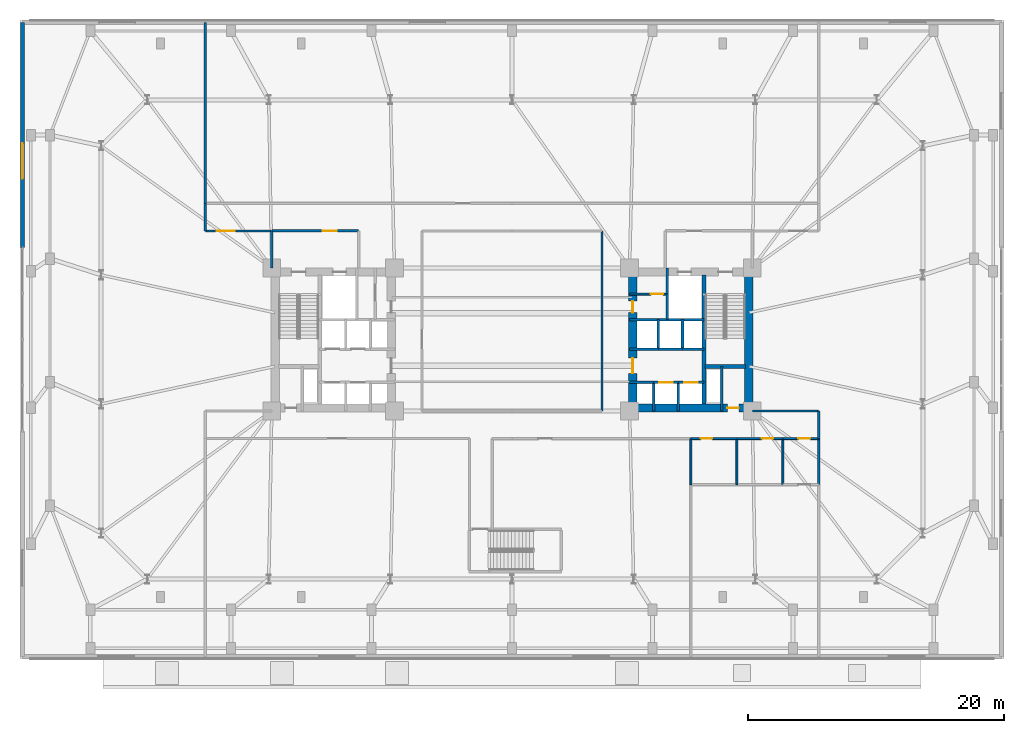
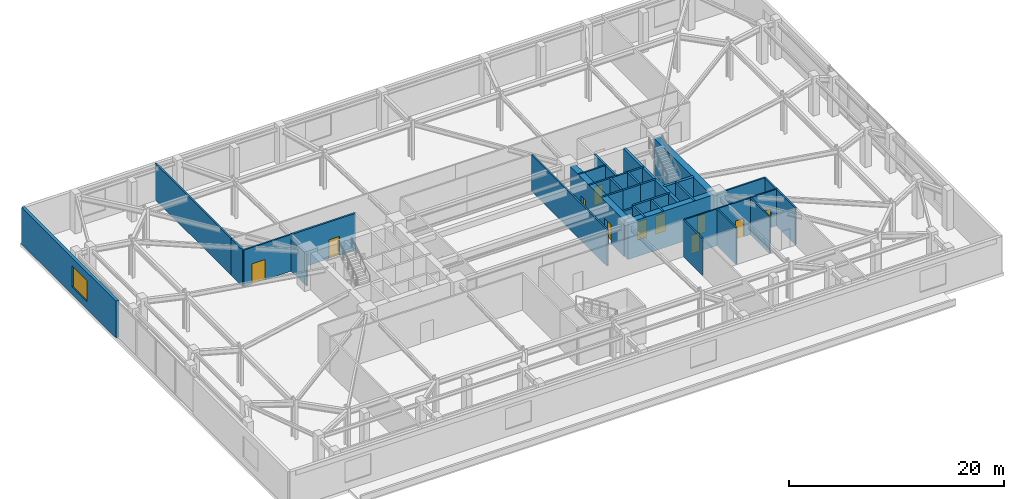
# One storey, part 16 of 21: 36 walls, 11 doors, 1 window, 12 openings.
"""IFC4 building model written with IfcOpenShell, lengths in metres."""

from ifc_helpers import new_model, si_unit, direction, frame, frame_2d, origin, place, context, subcontext, project, spatial, rectangle, extrude, material, layer, layer_set, type_object, element, fill, save


model = new_model("IFC4")

# Units and contexts
model_context = context("Model", 3, precision=1e-05, world=origin(), true_north=direction((0.0, 1.0)))
body_context = subcontext(model_context, "Body", "Model", "MODEL_VIEW")
ifc_project = project(units=[si_unit("LENGTHUNIT", "METRE"), si_unit("AREAUNIT", "SQUARE_METRE"), si_unit("VOLUMEUNIT", "CUBIC_METRE"), si_unit("PLANEANGLEUNIT", "RADIAN"), si_unit("MASSUNIT", "GRAM", prefix="KILO")], contexts=[model_context])

# Site, building, storey
site_placement = place(None, origin())
site = spatial("IfcSite", under=ifc_project, at=site_placement, CompositionType="ELEMENT")
building_placement = place(site_placement, origin())
building = spatial("IfcBuilding", under=site, at=building_placement, Name="Qobustan Lattice House", CompositionType="ELEMENT")
storey_placement = place(building_placement, frame((0.0, 0.0, 4.5)))
storey = spatial("IfcBuildingStorey", under=building, at=storey_placement, Name="L01", CompositionType="ELEMENT", Elevation=4.5)

# Wall, opening, door
ifc_material_1 = material(Name="Concrete C60/75", Category="concrete")
ifc_layer_1 = layer(ifc_material_1, 0.639892578125)
ifc_layer_set_1 = layer_set([ifc_layer_1], Name="Concrete C60/75")
wall_type_1 = type_object("IfcWallType", Name="WAL-CORE-640", PredefinedType="SHEAR", material=ifc_layer_set_1)
wall_1_placement = place(storey_placement, frame((9.199951171875, -5.35009765625, 0.0), z_axis=(0.0, 0.0, 1.0), x_axis=(1.0, 0.0, 0.0)))
wall_1 = element("IfcWall", 1, at=wall_1_placement, inside=storey, type_object=wall_type_1, Name="L01 split-core shear wall CE-S", PredefinedType="SHEAR", context=body_context, shape_type="SweptSolid", body=[
    extrude(rectangle(XDim=9.60009765625, YDim=0.639892578125, at=frame_2d((4.800048828125, 0.0))), origin(), (0.0, 0.0, 1.0), 4.169921875),
])
opening_1_placement = place(wall_1_placement, frame((7.64990234375, 0.0, 0.0)))
opening_1 = element("IfcOpeningElement", 2, at=opening_1_placement, cuts=wall_1, Name="Opening RD-01", PredefinedType="OPENING", context=body_context, shape_type="SweptSolid", body=[
    extrude(rectangle(XDim=0.89990234375, YDim=2.10009765625, at=frame_2d((0.449951171875, 1.050048828125))), frame((0.0, 0.329833984375, 0.0), z_axis=(0.0, -1.0, 0.0), x_axis=(1.0, 0.0, 0.0)), (0.0, 0.0, 1.0), 0.659912109375),
])
ifc_material_2 = material(Name="Persian walnut timber and steel frame door", Category="steel")
door_type_1 = type_object("IfcDoorType", Name="DOR-RISER-FD-900x2100", OperationType="NOTDEFINED", PredefinedType="DOOR", material=ifc_material_2)
door_1_placement = place(opening_1_placement, origin())
door_1 = element("IfcDoor", 3, at=door_1_placement, inside=storey, type_object=door_type_1, Name="L01 core service riser access door E", OperationType="SINGLE_SWING_RIGHT", OverallHeight=2.10009765625, OverallWidth=0.89990234375, PredefinedType="DOOR", context=body_context, shape_type="SweptSolid", body=[
    extrude(rectangle(XDim=0.89990234375, YDim=2.10009765625, at=frame_2d((0.449951171875, 1.050048828125))), frame((0.0, 0.02490234375, 0.0), z_axis=(0.0, -1.0, 0.0), x_axis=(1.0, 0.0, 0.0)), (0.0, 0.0, 1.0), 0.050048828125),
])
fill(opening_1, door_1)

# Wall, openings, doors
wall_2_placement = place(storey_placement, frame((9.449951171875, -5.050048828125, 0.0), z_axis=(0.0, 0.0, 1.0), x_axis=(0.0, 1.0, 0.0)))
wall_2 = element("IfcWall", 4, at=wall_2_placement, inside=storey, type_object=wall_type_1, Name="L01 split-core shear wall CE-W", PredefinedType="SHEAR", context=body_context, shape_type="SweptSolid", body=[
    extrude(rectangle(XDim=10.10009765625, YDim=0.639892578125, at=frame_2d((5.050048828125, 0.0))), origin(), (0.0, 0.0, 1.0), 4.169921875),
])
opening_2_placement = place(wall_2_placement, frame((7.14990234375, 0.0, 0.0)))
opening_2 = element("IfcOpeningElement", 5, at=opening_2_placement, cuts=wall_2, Name="Opening RD-01", PredefinedType="OPENING", context=body_context, shape_type="SweptSolid", body=[
    extrude(rectangle(XDim=0.89990234375, YDim=2.10009765625, at=frame_2d((0.449951171875, 1.050048828125))), frame((0.0, 0.329833984375, 0.0), z_axis=(0.0, -1.0, 0.0), x_axis=(1.0, 0.0, 0.0)), (0.0, 0.0, 1.0), 0.659912109375),
])
opening_3_placement = place(wall_2_placement, frame((2.39990234375, 0.0, 0.0)))
opening_3 = element("IfcOpeningElement", 6, at=opening_3_placement, cuts=wall_2, Name="Opening FD-01", PredefinedType="OPENING", context=body_context, shape_type="SweptSolid", body=[
    extrude(rectangle(XDim=1.199951171875, YDim=2.14990234375, at=frame_2d((0.60009765625, 1.074951171875))), frame((0.0, 0.329833984375, 0.0), z_axis=(0.0, -1.0, 0.0), x_axis=(1.0, 0.0, 0.0)), (0.0, 0.0, 1.0), 0.659912109375),
])
ifc_material_3 = material(Name="Persian walnut timber and steel frame door", Category="steel")
door_type_2 = type_object("IfcDoorType", Name="DOR-LOBBY-FD-1200x2150", OperationType="NOTDEFINED", PredefinedType="DOOR", material=ifc_material_3)
door_2_placement = place(opening_3_placement, origin())
door_2 = element("IfcDoor", 7, at=door_2_placement, inside=storey, type_object=door_type_2, Name="L01 East passenger lift lobby fire door", OperationType="SINGLE_SWING_LEFT", OverallHeight=2.14990234375, OverallWidth=1.199951171875, PredefinedType="DOOR", context=body_context, shape_type="SweptSolid", body=[
    extrude(rectangle(XDim=1.199951171875, YDim=2.14990234375, at=frame_2d((0.60009765625, 1.074951171875))), frame((0.0, 0.02490234375, 0.0), z_axis=(0.0, -1.0, 0.0), x_axis=(1.0, 0.0, 0.0)), (0.0, 0.0, 1.0), 0.050048828125),
])
fill(opening_3, door_2)
door_3_placement = place(opening_2_placement, origin())
door_3 = element("IfcDoor", 8, at=door_3_placement, inside=storey, type_object=door_type_1, Name="L01 Housekeeping utility foyer fire door", OperationType="SINGLE_SWING_RIGHT", OverallHeight=2.10009765625, OverallWidth=0.89990234375, PredefinedType="DOOR", context=body_context, shape_type="SweptSolid", body=[
    extrude(rectangle(XDim=0.89990234375, YDim=2.10009765625, at=frame_2d((0.449951171875, 1.050048828125))), frame((0.0, 0.02490234375, 0.0), z_axis=(0.0, -1.0, 0.0), x_axis=(1.0, 0.0, 0.0)), (0.0, 0.0, 1.0), 0.050048828125),
])
fill(opening_2, door_3)

# Walls
wall_3_placement = place(storey_placement, frame((18.530029296875, -5.050048828125, 0.0), z_axis=(0.0, 0.0, 1.0), x_axis=(0.0, 1.0, 0.0)))
element("IfcWall", 9, at=wall_3_placement, inside=storey, type_object=wall_type_1, Name="L01 split-core shear wall CE-E", PredefinedType="SHEAR", context=body_context, shape_type="SweptSolid", body=[
    extrude(rectangle(XDim=10.10009765625, YDim=0.639892578125, at=frame_2d((5.050048828125, 0.0))), origin(), (0.0, 0.0, 1.0), 4.169921875),
])
ifc_material_4 = material(Name="Concrete C50/60", Category="concrete")
ifc_layer_2 = layer(ifc_material_4, 0.280029296875)
ifc_layer_set_2 = layer_set([ifc_layer_2], Name="Concrete C50/60")
wall_type_2 = type_object("IfcWallType", Name="WAL-CORE-SPINE-280", PredefinedType="SHEAR", material=ifc_layer_set_2)
wall_4_placement = place(storey_placement, frame((15.02001953125, -5.050048828125, 0.0), z_axis=(0.0, 0.0, 1.0), x_axis=(0.0, 1.0, 0.0)))
element("IfcWall", 10, at=wall_4_placement, inside=storey, type_object=wall_type_2, Name="L01 split-core shear wall CE-M", PredefinedType="SHEAR", context=body_context, shape_type="SweptSolid", body=[
    extrude(rectangle(XDim=10.10009765625, YDim=0.300048828125, at=frame_2d((5.050048828125, 0.0))), origin(), (0.0, 0.0, 1.0), 4.169921875),
])
wall_5_placement = place(storey_placement, frame((15.10009765625, -2.110107421875, 0.0), z_axis=(0.0, 0.0, 1.0), x_axis=(1.0, 0.0, 0.0)))
element("IfcWall", 11, at=wall_5_placement, inside=storey, type_object=wall_type_2, Name="L01 split-core shear wall CE-ST", PredefinedType="SHEAR", context=body_context, shape_type="SweptSolid", body=[
    extrude(rectangle(XDim=3.179931640625, YDim=0.300048828125, at=frame_2d((1.58984375, 0.0))), origin(), (0.0, 0.0, 1.0), 4.169921875),
])

# Wall, opening, window
ifc_material_5 = material(Name="Precast concrete C40/50", Category="concrete")
ifc_layer_3 = layer(ifc_material_5, 0.320068359375)
ifc_layer_set_3 = layer_set([ifc_layer_3], Name="Precast concrete C40/50")
wall_type_3 = type_object("IfcWallType", Name="WAL-EXT-STONE-320", PredefinedType="SOLIDWALL", material=ifc_layer_set_3)
wall_6_placement = place(storey_placement, frame((-38.300048828125, 7.199951171875, 0.0), z_axis=(0.0, 0.0, 1.0), x_axis=(0.0, 1.0, 0.0)))
wall_6 = element("IfcWall", 12, at=wall_6_placement, inside=storey, type_object=wall_type_3, Name="L01 podium stone wall 1B", PredefinedType="SOLIDWALL", context=body_context, shape_type="SweptSolid", body=[
    extrude(rectangle(XDim=17.60009765625, YDim=0.320068359375, at=frame_2d((8.800048828125, 0.0))), origin(), (0.0, 0.0, 1.0), 4.169921875),
])
opening_4_placement = place(wall_6_placement, frame((5.3701171875, 0.0, 0.85009765625)))
opening_4 = element("IfcOpeningElement", 13, at=opening_4_placement, cuts=wall_6, Name="Opening WN-17", PredefinedType="OPENING", context=body_context, shape_type="SweptSolid", body=[
    extrude(rectangle(XDim=2.800048828125, YDim=2.39990234375, at=frame_2d((1.39990234375, 1.199951171875))), frame((0.0, 0.169921875, 0.0), z_axis=(0.0, -1.0, 0.0), x_axis=(1.0, 0.0, 0.0)), (0.0, 0.0, 1.0), 0.340087890625),
])
ifc_material_6 = material(Name="Double-glazed low-E aluminium window", Category="aluminium")
window_type = type_object("IfcWindowType", Name="WIN-POD-2800x2400", PartitioningType="SINGLE_PANEL", PredefinedType="WINDOW", material=ifc_material_6)
window_placement = place(opening_4_placement, origin())
window = element("IfcWindow", 14, at=window_placement, inside=storey, type_object=window_type, Name="L01 Academic reference library window", OverallHeight=2.39990234375, OverallWidth=2.800048828125, PartitioningType="SINGLE_PANEL", PredefinedType="WINDOW", context=body_context, shape_type="SweptSolid", body=[
    extrude(rectangle(XDim=2.800048828125, YDim=2.39990234375, at=frame_2d((1.39990234375, 1.199951171875))), frame((0.0, 0.030029296875, 0.0), z_axis=(0.0, -1.0, 0.0), x_axis=(1.0, 0.0, 0.0)), (0.0, 0.0, 1.0), 0.06005859375),
])
fill(opening_4, window)

# Wall, opening, door
ifc_material_7 = material(Name="Acoustic twin-stud gypsum partition", Category="gypsum")
ifc_layer_4 = layer(ifc_material_7, 0.14990234375)
ifc_layer_set_4 = layer_set([ifc_layer_4], Name="Acoustic twin-stud gypsum partition")
wall_type_4 = type_object("IfcWallType", Name="WAL-PART-150", PredefinedType="PARTITIONING", material=ifc_layer_set_4)
wall_7_placement = place(storey_placement, frame((12.14990234375, 3.550048828125, 0.0), z_axis=(0.0, 0.0, 1.0), x_axis=(-1.0, 0.0, 0.0)))
wall_7 = element("IfcWall", 15, at=wall_7_placement, inside=storey, type_object=wall_type_4, Name="L01 interior partition 25", PredefinedType="PARTITIONING", context=body_context, shape_type="SweptSolid", body=[
    extrude(rectangle(XDim=2.949951171875, YDim=0.14990234375, at=frame_2d((1.47509765625, 0.0))), origin(), (0.0, 0.0, 1.0), 4.169921875),
])
opening_5_placement = place(wall_7_placement, frame((0.324951171875, 0.0, 0.0)))
opening_5 = element("IfcOpeningElement", 16, at=opening_5_placement, cuts=wall_7, Name="Opening ID-01", PredefinedType="OPENING", context=body_context, shape_type="SweptSolid", body=[
    extrude(rectangle(XDim=0.949951171875, YDim=2.10009765625, at=frame_2d((0.47509765625, 1.050048828125))), frame((0.0, 0.0849609375, 0.0), z_axis=(0.0, -1.0, 0.0), x_axis=(1.0, 0.0, 0.0)), (0.0, 0.0, 1.0), 0.169921875),
])
ifc_material_8 = material(Name="Persian walnut timber and steel frame door", Category="steel")
door_type_3 = type_object("IfcDoorType", Name="DOR-ROOM-950x2100", OperationType="NOTDEFINED", PredefinedType="DOOR", material=ifc_material_8)
door_4_placement = place(opening_5_placement, origin())
door_4 = element("IfcDoor", 17, at=door_4_placement, inside=storey, type_object=door_type_3, Name="L01 Housekeeping utility foyer to Cleaner cupboard door", OperationType="SINGLE_SWING_LEFT", OverallHeight=2.10009765625, OverallWidth=0.949951171875, PredefinedType="DOOR", context=body_context, shape_type="SweptSolid", body=[
    extrude(rectangle(XDim=0.949951171875, YDim=2.10009765625, at=frame_2d((0.47509765625, 1.050048828125))), frame((0.0, 0.02490234375, 0.0), z_axis=(0.0, -1.0, 0.0), x_axis=(1.0, 0.0, 0.0)), (0.0, 0.0, 1.0), 0.050048828125),
])
fill(opening_5, door_4)

wall_8_placement = place(storey_placement, frame((24.0, -7.75, 0.0), z_axis=(0.0, 0.0, 1.0), x_axis=(-1.0, 0.0, 0.0)))
wall_8 = element("IfcWall", 18, at=wall_8_placement, inside=storey, type_object=wall_type_4, Name="L01 interior partition 54", PredefinedType="PARTITIONING", context=body_context, shape_type="SweptSolid", body=[
    extrude(rectangle(XDim=2.800048828125, YDim=0.14990234375, at=frame_2d((1.39990234375, 0.0))), origin(), (0.0, 0.0, 1.0), 4.169921875),
])
opening_6_placement = place(wall_8_placement, frame((0.666259765625, 0.0, 0.0)))
opening_6 = element("IfcOpeningElement", 19, at=opening_6_placement, cuts=wall_8, Name="Opening ID-01", PredefinedType="OPENING", context=body_context, shape_type="SweptSolid", body=[
    extrude(rectangle(XDim=0.949951171875, YDim=2.10009765625, at=frame_2d((0.47509765625, 1.050048828125))), frame((0.0, 0.0849609375, 0.0), z_axis=(0.0, -1.0, 0.0), x_axis=(1.0, 0.0, 0.0)), (0.0, 0.0, 1.0), 0.169921875),
])
door_5_placement = place(opening_6_placement, origin())
door_5 = element("IfcDoor", 20, at=door_5_placement, inside=storey, type_object=door_type_3, Name="L01 South-east podium corridor to Janitor supply store door", OperationType="SINGLE_SWING_LEFT", OverallHeight=2.10009765625, OverallWidth=0.949951171875, PredefinedType="DOOR", context=body_context, shape_type="SweptSolid", body=[
    extrude(rectangle(XDim=0.949951171875, YDim=2.10009765625, at=frame_2d((0.47509765625, 1.050048828125))), frame((0.0, 0.02490234375, 0.0), z_axis=(0.0, -1.0, 0.0), x_axis=(1.0, 0.0, 0.0)), (0.0, 0.0, 1.0), 0.050048828125),
])
fill(opening_6, door_5)

ifc_material_9 = material(Name="High-mass acoustic twin-stud partition", Category="gypsum")
ifc_layer_5 = layer(ifc_material_9, 0.1650390625)
ifc_layer_set_5 = layer_set([ifc_layer_5], Name="High-mass acoustic twin-stud partition")
wall_type_5 = type_object("IfcWallType", Name="WAL-PART-165", PredefinedType="PARTITIONING", material=ifc_layer_set_5)
wall_9_placement = place(storey_placement, frame((-18.800048828125, 8.5, 0.0), z_axis=(0.0, 0.0, 1.0), x_axis=(-1.0, 0.0, 0.0)))
wall_9 = element("IfcWall", 21, at=wall_9_placement, inside=storey, type_object=wall_type_5, Name="L01 interior partition 38", PredefinedType="PARTITIONING", context=body_context, shape_type="SweptSolid", body=[
    extrude(rectangle(XDim=5.199951171875, YDim=0.1650390625, at=frame_2d((2.60009765625, 0.0))), origin(), (0.0, 0.0, 1.0), 4.169921875),
])
opening_7_placement = place(wall_9_placement, frame((2.889892578125, 0.0, 0.0)))
opening_7 = element("IfcOpeningElement", 22, at=opening_7_placement, cuts=wall_9, Name="Opening ID-04", PredefinedType="OPENING", context=body_context, shape_type="SweptSolid", body=[
    extrude(rectangle(XDim=1.39990234375, YDim=2.300048828125, at=frame_2d((0.699951171875, 1.14990234375))), frame((0.0, 0.092529296875, 0.0), z_axis=(0.0, -1.0, 0.0), x_axis=(1.0, 0.0, 0.0)), (0.0, 0.0, 1.0), 0.18505859375),
])
ifc_material_10 = material(Name="Persian walnut timber and steel frame door", Category="steel")
door_type_4 = type_object("IfcDoorType", Name="DOR-POD-1400x2300", OperationType="NOTDEFINED", PredefinedType="DOOR", material=ifc_material_10)
door_6_placement = place(opening_7_placement, origin())
door_6 = element("IfcDoor", 23, at=door_6_placement, inside=storey, type_object=door_type_4, Name="L01 North-west podium corridor to Academic reference library door", OperationType="SINGLE_SWING_RIGHT", OverallHeight=2.300048828125, OverallWidth=1.39990234375, PredefinedType="DOOR", context=body_context, shape_type="SweptSolid", body=[
    extrude(rectangle(XDim=1.39990234375, YDim=2.300048828125, at=frame_2d((0.699951171875, 1.14990234375))), frame((0.0, 0.02490234375, 0.0), z_axis=(0.0, -1.0, 0.0), x_axis=(1.0, 0.0, 0.0)), (0.0, 0.0, 1.0), 0.050048828125),
])
fill(opening_7, door_6)

# Walls
wall_10_placement = place(storey_placement, frame((-24.0, 8.5, 0.0), z_axis=(0.0, 0.0, 1.0), x_axis=(0.0, 1.0, 0.0)))
element("IfcWall", 24, at=wall_10_placement, inside=storey, type_object=wall_type_5, Name="L01 interior partition 39", PredefinedType="PARTITIONING", context=body_context, shape_type="SweptSolid", body=[
    extrude(rectangle(XDim=2.14990234375, YDim=0.1650390625, at=frame_2d((1.074951171875, 0.0))), origin(), (0.0, 0.0, 1.0), 4.169921875),
])
wall_11_placement = place(storey_placement, frame((18.800048828125, -5.60009765625, 0.0), z_axis=(0.0, 0.0, 1.0), x_axis=(1.0, 0.0, 0.0)))
element("IfcWall", 25, at=wall_11_placement, inside=storey, type_object=wall_type_5, Name="L01 interior partition 56", PredefinedType="PARTITIONING", context=body_context, shape_type="SweptSolid", body=[
    extrude(rectangle(XDim=5.199951171875, YDim=0.1650390625, at=frame_2d((2.60009765625, 0.0))), origin(), (0.0, 0.0, 1.0), 4.169921875),
])
wall_12_placement = place(storey_placement, frame((24.0, -5.60009765625, 0.0), z_axis=(0.0, 0.0, 1.0), x_axis=(0.0, -1.0, 0.0)))
element("IfcWall", 26, at=wall_12_placement, inside=storey, type_object=wall_type_5, Name="L01 interior partition 57", PredefinedType="PARTITIONING", context=body_context, shape_type="SweptSolid", body=[
    extrude(rectangle(XDim=2.14990234375, YDim=0.1650390625, at=frame_2d((1.074951171875, 0.0))), origin(), (0.0, 0.0, 1.0), 4.169921875),
])
wall_13_placement = place(storey_placement, frame((7.050048828125, -5.60009765625, 0.0), z_axis=(0.0, 0.0, 1.0), x_axis=(0.0, 1.0, 0.0)))
element("IfcWall", 27, at=wall_13_placement, inside=storey, type_object=wall_type_5, Name="L01 interior partition 59", PredefinedType="PARTITIONING", context=body_context, shape_type="SweptSolid", body=[
    extrude(rectangle(XDim=14.10009765625, YDim=0.1650390625, at=frame_2d((7.050048828125, 0.0))), origin(), (0.0, 0.0, 1.0), 4.169921875),
])
wall_14_placement = place(storey_placement, frame((-24.0, 24.800048828125, 0.0), z_axis=(0.0, 0.0, 1.0), x_axis=(0.0, -1.0, 0.0)))
element("IfcWall", 28, at=wall_14_placement, inside=storey, type_object=wall_type_5, Name="L01 interior partition 62", PredefinedType="PARTITIONING", context=body_context, shape_type="SweptSolid", body=[
    extrude(rectangle(XDim=14.150146484375, YDim=0.1650390625, at=frame_2d((7.0751953125, 0.0))), origin(), (0.0, 0.0, 1.0), 4.169921875),
])
wall_15_placement = place(storey_placement, frame((24.0, -7.75, 0.0), z_axis=(0.0, 0.0, 1.0), x_axis=(0.0, -1.0, 0.0)))
element("IfcWall", 29, at=wall_15_placement, inside=storey, type_object=wall_type_5, Name="L01 interior partition 72", PredefinedType="PARTITIONING", context=body_context, shape_type="SweptSolid", body=[
    extrude(rectangle(XDim=3.60009765625, YDim=0.1650390625, at=frame_2d((1.800048828125, 0.0))), origin(), (0.0, 0.0, 1.0), 4.169921875),
])

# Wall, opening, door
ifc_material_11 = material(Name="Two-hour gypsum fireboard acoustic partition", Category="gypsum")
ifc_layer_6 = layer(ifc_material_11, 0.199951171875)
ifc_layer_set_6 = layer_set([ifc_layer_6], Name="Two-hour gypsum fireboard acoustic partition")
wall_type_6 = type_object("IfcWallType", Name="WAL-PROT-200", PredefinedType="PARTITIONING", material=ifc_layer_set_6)
wall_16_placement = place(storey_placement, frame((-12.0, 8.5, 0.0), z_axis=(0.0, 0.0, 1.0), x_axis=(-1.0, 0.0, 0.0)))
wall_16 = element("IfcWall", 30, at=wall_16_placement, inside=storey, type_object=wall_type_6, Name="L01 interior partition 3", PredefinedType="PARTITIONING", context=body_context, shape_type="SweptSolid", body=[
    extrude(rectangle(XDim=6.800048828125, YDim=0.199951171875, at=frame_2d((3.39990234375, 0.0))), origin(), (0.0, 0.0, 1.0), 4.169921875),
])
opening_8_placement = place(wall_16_placement, frame((1.715087890625, 0.0, 0.0)))
opening_8 = element("IfcOpeningElement", 31, at=opening_8_placement, cuts=wall_16, Name="Opening SD-01", PredefinedType="OPENING", context=body_context, shape_type="SweptSolid", body=[
    extrude(rectangle(XDim=1.10009765625, YDim=2.14990234375, at=frame_2d((0.550048828125, 1.074951171875))), frame((0.0, 0.10986328125, 0.0), z_axis=(0.0, -1.0, 0.0), x_axis=(1.0, 0.0, 0.0)), (0.0, 0.0, 1.0), 0.219970703125),
])
ifc_material_12 = material(Name="Persian walnut timber and steel frame door", Category="steel")
door_type_5 = type_object("IfcDoorType", Name="DOR-STAIR-FD-1100x2150", OperationType="NOTDEFINED", PredefinedType="DOOR", material=ifc_material_12)
door_7_placement = place(opening_8_placement, origin())
door_7 = element("IfcDoor", 32, at=door_7_placement, inside=storey, type_object=door_type_5, Name="L01 West firefighting lift lobby to North-west podium corridor door", OperationType="SINGLE_SWING_RIGHT", OverallHeight=2.14990234375, OverallWidth=1.10009765625, PredefinedType="DOOR", context=body_context, shape_type="SweptSolid", body=[
    extrude(rectangle(XDim=1.10009765625, YDim=2.14990234375, at=frame_2d((0.550048828125, 1.074951171875))), frame((0.0, 0.02490234375, 0.0), z_axis=(0.0, -1.0, 0.0), x_axis=(1.0, 0.0, 0.0)), (0.0, 0.0, 1.0), 0.050048828125),
])
fill(opening_8, door_7)

# Walls
wall_17_placement = place(storey_placement, frame((-18.800048828125, 8.5, 0.0), z_axis=(0.0, 0.0, 1.0), x_axis=(0.0, -1.0, 0.0)))
element("IfcWall", 33, at=wall_17_placement, inside=storey, type_object=wall_type_6, Name="L01 interior partition 5", PredefinedType="PARTITIONING", context=body_context, shape_type="SweptSolid", body=[
    extrude(rectangle(XDim=2.89990234375, YDim=0.199951171875, at=frame_2d((1.449951171875, 0.0))), origin(), (0.0, 0.0, 1.0), 3.655029296875),
])
ifc_material_13 = material(Name="Concrete C40/50", Category="concrete")
ifc_layer_7 = layer(ifc_material_13, 0.199951171875)
ifc_layer_set_7 = layer_set([ifc_layer_7], Name="Concrete C40/50")
wall_type_7 = type_object("IfcWallType", Name="WAL-SHAFT-200", PredefinedType="PARTITIONING", material=ifc_layer_set_7)
wall_18_placement = place(storey_placement, frame((16.39990234375, -2.110107421875, 0.0), z_axis=(0.0, 0.0, 1.0), x_axis=(0.0, -1.0, 0.0)))
element("IfcWall", 34, at=wall_18_placement, inside=storey, type_object=wall_type_7, Name="L01 interior partition 19", PredefinedType="PARTITIONING", context=body_context, shape_type="SweptSolid", body=[
    extrude(rectangle(XDim=3.489990234375, YDim=0.199951171875, at=frame_2d((1.7451171875, 0.0))), origin(), (0.0, 0.0, 1.0), 4.169921875),
])
wall_19_placement = place(storey_placement, frame((12.14990234375, 3.550048828125, 0.0), z_axis=(0.0, 0.0, 1.0), x_axis=(0.0, -1.0, 0.0)))
element("IfcWall", 35, at=wall_19_placement, inside=storey, type_object=wall_type_7, Name="L01 interior partition 20", PredefinedType="PARTITIONING", context=body_context, shape_type="SweptSolid", body=[
    extrude(rectangle(XDim=2.0, YDim=0.199951171875, at=frame_2d((1.0, 0.0))), origin(), (0.0, 0.0, 1.0), 4.169921875),
])
wall_20_placement = place(storey_placement, frame((12.14990234375, 5.60009765625, 0.0), z_axis=(0.0, 0.0, 1.0), x_axis=(0.0, -1.0, 0.0)))
element("IfcWall", 36, at=wall_20_placement, inside=storey, type_object=wall_type_7, Name="L01 interior partition 21", PredefinedType="PARTITIONING", context=body_context, shape_type="SweptSolid", body=[
    extrude(rectangle(XDim=2.050048828125, YDim=0.199951171875, at=frame_2d((1.02490234375, 0.0))), origin(), (0.0, 0.0, 1.0), 4.169921875),
])
wall_21_placement = place(storey_placement, frame((9.199951171875, -3.35009765625, 0.0), z_axis=(0.0, 0.0, 1.0), x_axis=(1.0, 0.0, 0.0)))
element("IfcWall", 37, at=wall_21_placement, inside=storey, type_object=wall_type_7, Name="L01 interior partition 27", PredefinedType="PARTITIONING", context=body_context, shape_type="SweptSolid", body=[
    extrude(rectangle(XDim=1.880126953125, YDim=0.199951171875, at=frame_2d((0.93994140625, 0.0))), origin(), (0.0, 0.0, 1.0), 3.885009765625),
])

# Wall, opening, door
wall_22_placement = place(storey_placement, frame((11.080078125, -3.35009765625, 0.0), z_axis=(0.0, 0.0, 1.0), x_axis=(1.0, 0.0, 0.0)))
wall_22 = element("IfcWall", 38, at=wall_22_placement, inside=storey, type_object=wall_type_7, Name="L01 interior partition 28", PredefinedType="PARTITIONING", context=body_context, shape_type="SweptSolid", body=[
    extrude(rectangle(XDim=1.93994140625, YDim=0.199951171875, at=frame_2d((0.969970703125, 0.0))), origin(), (0.0, 0.0, 1.0), 4.169921875),
])
opening_9_placement = place(wall_22_placement, frame((0.445068359375, 0.0, 0.0)))
opening_9 = element("IfcOpeningElement", 39, at=opening_9_placement, cuts=wall_22, Name="Opening LD-01", PredefinedType="OPENING", context=body_context, shape_type="SweptSolid", body=[
    extrude(rectangle(XDim=1.050048828125, YDim=2.10009765625, at=frame_2d((0.52490234375, 1.050048828125))), frame((0.0, 0.10986328125, 0.0), z_axis=(0.0, -1.0, 0.0), x_axis=(1.0, 0.0, 0.0)), (0.0, 0.0, 1.0), 0.219970703125),
])
ifc_material_14 = material(Name="Persian walnut timber and steel frame door", Category="steel")
door_type_6 = type_object("IfcDoorType", Name="DOR-LIFT-LD-1050x2100", OperationType="NOTDEFINED", PredefinedType="DOOR", material=ifc_material_14)
door_8_placement = place(opening_9_placement, origin())
door_8 = element("IfcDoor", 40, at=door_8_placement, inside=storey, type_object=door_type_6, Name="L01 lift landing door", OperationType="DOUBLE_DOOR_SLIDING", OverallHeight=2.10009765625, OverallWidth=1.050048828125, PredefinedType="DOOR", context=body_context, shape_type="SweptSolid", body=[
    extrude(rectangle(XDim=1.050048828125, YDim=2.10009765625, at=frame_2d((0.52490234375, 1.050048828125))), frame((0.0, 0.02490234375, 0.0), z_axis=(0.0, -1.0, 0.0), x_axis=(1.0, 0.0, 0.0)), (0.0, 0.0, 1.0), 0.050048828125),
])
fill(opening_9, door_8)

wall_23_placement = place(storey_placement, frame((13.02001953125, -3.35009765625, 0.0), z_axis=(0.0, 0.0, 1.0), x_axis=(1.0, 0.0, 0.0)))
wall_23 = element("IfcWall", 41, at=wall_23_placement, inside=storey, type_object=wall_type_7, Name="L01 interior partition 29", PredefinedType="PARTITIONING", context=body_context, shape_type="SweptSolid", body=[
    extrude(rectangle(XDim=2.0, YDim=0.199951171875, at=frame_2d((1.0, 0.0))), origin(), (0.0, 0.0, 1.0), 4.169921875),
])
opening_10_placement = place(wall_23_placement, frame((0.47509765625, 0.0, 0.0)))
opening_10 = element("IfcOpeningElement", 42, at=opening_10_placement, cuts=wall_23, Name="Opening LD-01", PredefinedType="OPENING", context=body_context, shape_type="SweptSolid", body=[
    extrude(rectangle(XDim=1.050048828125, YDim=2.10009765625, at=frame_2d((0.52490234375, 1.050048828125))), frame((0.0, 0.10986328125, 0.0), z_axis=(0.0, -1.0, 0.0), x_axis=(1.0, 0.0, 0.0)), (0.0, 0.0, 1.0), 0.219970703125),
])
door_9_placement = place(opening_10_placement, origin())
door_9 = element("IfcDoor", 43, at=door_9_placement, inside=storey, type_object=door_type_6, Name="L01 lift landing door", OperationType="DOUBLE_DOOR_SLIDING", OverallHeight=2.10009765625, OverallWidth=1.050048828125, PredefinedType="DOOR", context=body_context, shape_type="SweptSolid", body=[
    extrude(rectangle(XDim=1.050048828125, YDim=2.10009765625, at=frame_2d((0.52490234375, 1.050048828125))), frame((0.0, 0.02490234375, 0.0), z_axis=(0.0, -1.0, 0.0), x_axis=(1.0, 0.0, 0.0)), (0.0, 0.0, 1.0), 0.050048828125),
])
fill(opening_10, door_9)

# Walls
wall_24_placement = place(storey_placement, frame((11.4599609375, -0.75, 0.0), z_axis=(0.0, 0.0, 1.0), x_axis=(-1.0, 0.0, 0.0)))
element("IfcWall", 44, at=wall_24_placement, inside=storey, type_object=wall_type_7, Name="L01 interior partition 30", PredefinedType="PARTITIONING", context=body_context, shape_type="SweptSolid", body=[
    extrude(rectangle(XDim=2.260009765625, YDim=0.199951171875, at=frame_2d((1.1298828125, 0.0))), origin(), (0.0, 0.0, 1.0), 4.169921875),
])
wall_25_placement = place(storey_placement, frame((13.340087890625, -0.75, 0.0), z_axis=(0.0, 0.0, 1.0), x_axis=(-1.0, 0.0, 0.0)))
element("IfcWall", 45, at=wall_25_placement, inside=storey, type_object=wall_type_7, Name="L01 interior partition 31", PredefinedType="PARTITIONING", context=body_context, shape_type="SweptSolid", body=[
    extrude(rectangle(XDim=1.880126953125, YDim=0.199951171875, at=frame_2d((0.93994140625, 0.0))), origin(), (0.0, 0.0, 1.0), 4.169921875),
])
wall_26_placement = place(storey_placement, frame((15.02001953125, -0.75, 0.0), z_axis=(0.0, 0.0, 1.0), x_axis=(-1.0, 0.0, 0.0)))
element("IfcWall", 46, at=wall_26_placement, inside=storey, type_object=wall_type_7, Name="L01 interior partition 32", PredefinedType="PARTITIONING", context=body_context, shape_type="SweptSolid", body=[
    extrude(rectangle(XDim=1.679931640625, YDim=0.199951171875, at=frame_2d((0.83984375, 0.0))), origin(), (0.0, 0.0, 1.0), 4.169921875),
])
for number, where, z_axis, x_axis, name in (
    (47, (11.080078125, -5.60009765625, 0.0), (0.0, 0.0, 1.0), (0.0, 1.0, 0.0), "L01 interior partition 34"),
    (48, (13.02001953125, -5.60009765625, 0.0), (0.0, 0.0, 1.0), (0.0, 1.0, 0.0), "L01 interior partition 35"),
):
    element("IfcWall", number, at=place(storey_placement, frame(where, z_axis=z_axis, x_axis=x_axis)), inside=storey, type_object=wall_type_7, Name=name, PredefinedType="PARTITIONING", context=body_context, shape_type="SweptSolid", body=[
        extrude(rectangle(XDim=2.25, YDim=0.199951171875, at=frame_2d((1.125, 0.0))), origin(), (0.0, 0.0, 1.0), 4.169921875),
    ])
for number, where, z_axis, x_axis, name in (
    (49, (11.4599609375, -0.75, 0.0), (0.0, 0.0, 1.0), (0.0, 1.0, 0.0), "L01 interior partition 36"),
    (50, (13.340087890625, -0.75, 0.0), (0.0, 0.0, 1.0), (0.0, 1.0, 0.0), "L01 interior partition 37"),
):
    element("IfcWall", number, at=place(storey_placement, frame(where, z_axis=z_axis, x_axis=x_axis)), inside=storey, type_object=wall_type_7, Name=name, PredefinedType="PARTITIONING", context=body_context, shape_type="SweptSolid", body=[
        extrude(rectangle(XDim=2.300048828125, YDim=0.199951171875, at=frame_2d((1.14990234375, 0.0))), origin(), (0.0, 0.0, 1.0), 4.169921875),
    ])
wall_27_placement = place(storey_placement, frame((9.199951171875, 1.550048828125, 0.0), z_axis=(0.0, 0.0, 1.0), x_axis=(1.0, 0.0, 0.0)))
element("IfcWall", 51, at=wall_27_placement, inside=storey, type_object=wall_type_7, Name="L01 interior partition 75", PredefinedType="PARTITIONING", context=body_context, shape_type="SweptSolid", body=[
    extrude(rectangle(XDim=5.820068359375, YDim=0.199951171875, at=frame_2d((2.91015625, 0.0))), origin(), (0.0, 0.0, 1.0), 4.169921875),
])

# Wall, opening, door
ifc_material_15 = material(Name="Moisture-resistant acoustic plumbing wall", Category="gypsum")
ifc_layer_8 = layer(ifc_material_15, 0.14990234375)
ifc_layer_set_8 = layer_set([ifc_layer_8], Name="Moisture-resistant acoustic plumbing wall")
wall_type_8 = type_object("IfcWallType", Name="WAL-WET-150", PredefinedType="PLUMBINGWALL", material=ifc_layer_set_8)
wall_28_placement = place(storey_placement, frame((17.60009765625, -7.75, 0.0), z_axis=(0.0, 0.0, 1.0), x_axis=(-1.0, 0.0, 0.0)))
wall_28 = element("IfcWall", 52, at=wall_28_placement, inside=storey, type_object=wall_type_8, Name="L01 interior partition 52", PredefinedType="PLUMBINGWALL", context=body_context, shape_type="SweptSolid", body=[
    extrude(rectangle(XDim=3.60009765625, YDim=0.14990234375, at=frame_2d((1.800048828125, 0.0))), origin(), (0.0, 0.0, 1.0), 4.169921875),
])
opening_11_placement = place(wall_28_placement, frame((1.927490234375, 0.0, 0.0)))
opening_11 = element("IfcOpeningElement", 53, at=opening_11_placement, cuts=wall_28, Name="Opening WD-01", PredefinedType="OPENING", context=body_context, shape_type="SweptSolid", body=[
    extrude(rectangle(XDim=0.89990234375, YDim=2.10009765625, at=frame_2d((0.449951171875, 1.050048828125))), frame((0.0, 0.0849609375, 0.0), z_axis=(0.0, -1.0, 0.0), x_axis=(1.0, 0.0, 0.0)), (0.0, 0.0, 1.0), 0.169921875),
])
ifc_material_16 = material(Name="Persian walnut timber and steel frame door", Category="steel")
door_type_7 = type_object("IfcDoorType", Name="DOR-WET-900x2100", OperationType="NOTDEFINED", PredefinedType="DOOR", material=ifc_material_16)
door_10_placement = place(opening_11_placement, origin())
door_10 = element("IfcDoor", 54, at=door_10_placement, inside=storey, type_object=door_type_7, Name="L01 South-east podium corridor to Public WC door", OperationType="SINGLE_SWING_LEFT", OverallHeight=2.10009765625, OverallWidth=0.89990234375, PredefinedType="DOOR", context=body_context, shape_type="SweptSolid", body=[
    extrude(rectangle(XDim=0.89990234375, YDim=2.10009765625, at=frame_2d((0.449951171875, 1.050048828125))), frame((0.0, 0.02490234375, 0.0), z_axis=(0.0, -1.0, 0.0), x_axis=(1.0, 0.0, 0.0)), (0.0, 0.0, 1.0), 0.050048828125),
])
fill(opening_11, door_10)

wall_29_placement = place(storey_placement, frame((21.199951171875, -7.75, 0.0), z_axis=(0.0, 0.0, 1.0), x_axis=(-1.0, 0.0, 0.0)))
wall_29 = element("IfcWall", 55, at=wall_29_placement, inside=storey, type_object=wall_type_8, Name="L01 interior partition 53", PredefinedType="PLUMBINGWALL", context=body_context, shape_type="SweptSolid", body=[
    extrude(rectangle(XDim=3.599853515625, YDim=0.14990234375, at=frame_2d((1.7998046875, 0.0))), origin(), (0.0, 0.0, 1.0), 4.169921875),
])
opening_12_placement = place(wall_29_placement, frame((0.7724609375, 0.0, 0.0)))
opening_12 = element("IfcOpeningElement", 56, at=opening_12_placement, cuts=wall_29, Name="Opening WD-01", PredefinedType="OPENING", context=body_context, shape_type="SweptSolid", body=[
    extrude(rectangle(XDim=0.89990234375, YDim=2.10009765625, at=frame_2d((0.449951171875, 1.050048828125))), frame((0.0, 0.0849609375, 0.0), z_axis=(0.0, -1.0, 0.0), x_axis=(1.0, 0.0, 0.0)), (0.0, 0.0, 1.0), 0.169921875),
])
door_11_placement = place(opening_12_placement, origin())
door_11 = element("IfcDoor", 57, at=door_11_placement, inside=storey, type_object=door_type_7, Name="L01 South-east podium corridor to Accessible WC door", OperationType="SINGLE_SWING_RIGHT", OverallHeight=2.10009765625, OverallWidth=0.89990234375, PredefinedType="DOOR", context=body_context, shape_type="SweptSolid", body=[
    extrude(rectangle(XDim=0.89990234375, YDim=2.10009765625, at=frame_2d((0.449951171875, 1.050048828125))), frame((0.0, 0.02490234375, 0.0), z_axis=(0.0, -1.0, 0.0), x_axis=(1.0, 0.0, 0.0)), (0.0, 0.0, 1.0), 0.050048828125),
])
fill(opening_12, door_11)

# Walls
for number, where, z_axis, x_axis, name in (
    (58, (14.0, -7.75, 0.0), (0.0, 0.0, 1.0), (0.0, -1.0, 0.0), "L01 interior partition 65"),
    (59, (17.60009765625, -7.75, 0.0), (0.0, 0.0, 1.0), (0.0, -1.0, 0.0), "L01 interior partition 67"),
    (60, (21.199951171875, -7.75, 0.0), (0.0, 0.0, 1.0), (0.0, -1.0, 0.0), "L01 interior partition 69"),
):
    element("IfcWall", number, at=place(storey_placement, frame(where, z_axis=z_axis, x_axis=x_axis)), inside=storey, type_object=wall_type_8, Name=name, PredefinedType="PLUMBINGWALL", context=body_context, shape_type="SweptSolid", body=[
        extrude(rectangle(XDim=3.60009765625, YDim=0.14990234375, at=frame_2d((1.800048828125, 0.0))), origin(), (0.0, 0.0, 1.0), 4.169921875),
    ])

save(model, "model.ifc")
